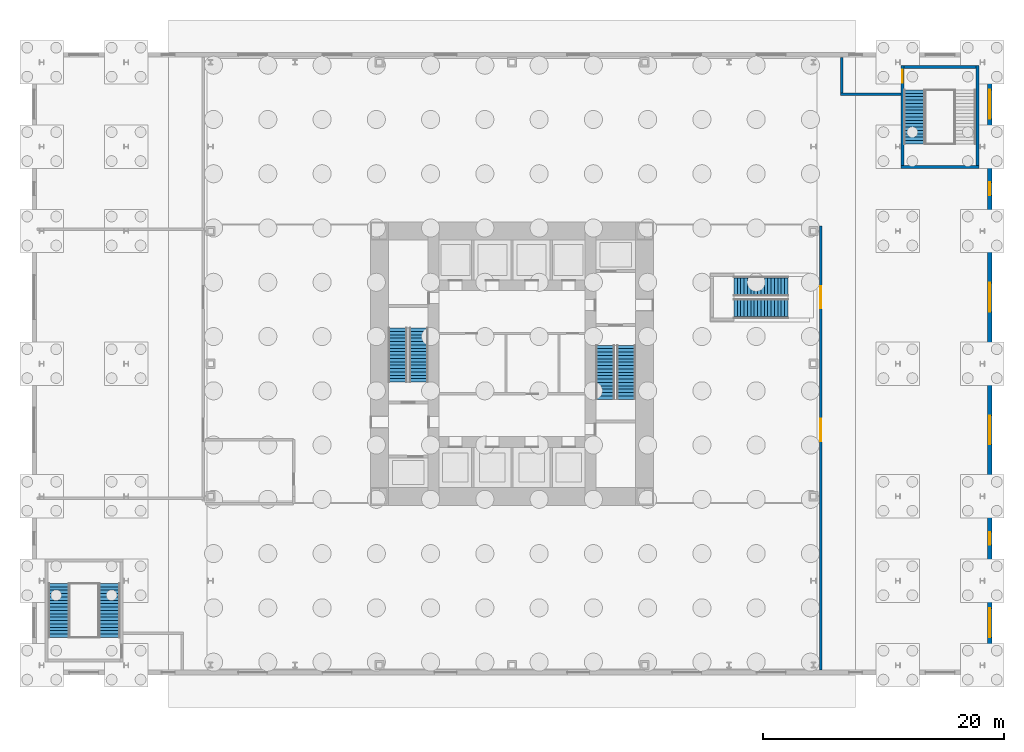
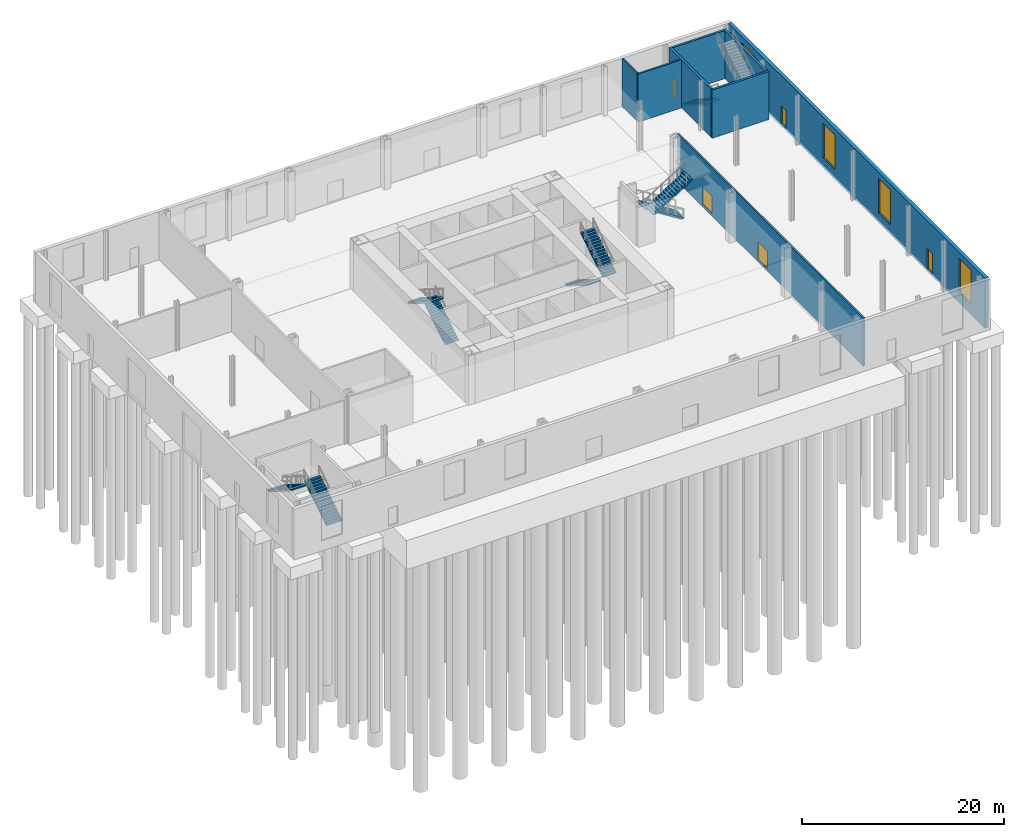
# One storey, part 12 of 16: 9 stair flights, 8 walls, 5 doors, 4 windows, 9 openings, 5 elements without a shape of their own.
"""IFC4 building model written with IfcOpenShell, lengths in metres."""

from ifc_helpers import new_model, si_unit, direction, frame, frame_2d, origin, place, context, subcontext, project, spatial, polyline, rectangle, outline, extrude, material, layer, layer_set, type_object, element, fill, aggregate, save


model = new_model("IFC4")

# Units and contexts
model_context = context("Model", 3, precision=1e-05, world=origin(), true_north=direction((0.0, 1.0)))
body_context = subcontext(model_context, "Body", "Model", "MODEL_VIEW")
ifc_project = project(units=[si_unit("LENGTHUNIT", "METRE"), si_unit("AREAUNIT", "SQUARE_METRE"), si_unit("VOLUMEUNIT", "CUBIC_METRE"), si_unit("PLANEANGLEUNIT", "RADIAN"), si_unit("MASSUNIT", "GRAM", prefix="KILO")], contexts=[model_context])

# Site, building, storey
site_placement = place(None, origin())
site = spatial("IfcSite", under=ifc_project, at=site_placement, CompositionType="ELEMENT")
building_placement = place(site_placement, origin())
building = spatial("IfcBuilding", under=site, at=building_placement, Name="Trevanion Tower", CompositionType="ELEMENT")
storey_placement = place(building_placement, origin())
storey = spatial("IfcBuildingStorey", under=building, at=storey_placement, Name="L00", CompositionType="ELEMENT", Elevation=0.0)

# Wall, openings, doors, windows
ifc_material_1 = material(Name="Granite cladding on concrete masonry", Category="masonry")
ifc_layer_1 = layer(ifc_material_1, 0.39990234375)
ifc_layer_set_1 = layer_set([ifc_layer_1], Name="EW1 granite-faced wall 400")
wall_type_1 = type_object("IfcWallType", Name="EW1 granite-faced wall 400", PredefinedType="SOLIDWALL", material=ifc_layer_set_1)
wall_1_placement = place(storey_placement, frame((39.6201171875, -25.419921875, -0.300048828125), z_axis=(0.0, 0.0, 1.0), x_axis=(0.0, 1.0, 0.0)))
wall_1 = element("IfcWall", 1, at=wall_1_placement, inside=storey, type_object=wall_type_1, Name="EW1 E L00", PredefinedType="SOLIDWALL", context=body_context, shape_type="SweptSolid", body=[
    extrude(rectangle(XDim=50.83984375, YDim=0.39990234375, at=frame_2d((25.419921875, 0.0))), origin(), (0.0, 0.0, 1.0), 6.110107421875),
])
opening_1_placement = place(wall_1_placement, frame((2.719970703125, 0.0, 1.199951171875)))
opening_1 = element("IfcOpeningElement", 2, at=opening_1_placement, cuts=wall_1, Name="Opening WN1", PredefinedType="OPENING", context=body_context, shape_type="SweptSolid", body=[
    extrude(rectangle(XDim=2.39990234375, YDim=4.199951171875, at=frame_2d((1.199951171875, 2.10009765625))), frame((0.0, 0.2099609375, 0.0), z_axis=(0.0, -1.0, 0.0), x_axis=(1.0, 0.0, 0.0)), (0.0, 0.0, 1.0), 0.419921875),
])
opening_2_placement = place(wall_1_placement, frame((10.385009765625, 0.0, 0.300048828125)))
opening_2 = element("IfcOpeningElement", 3, at=opening_2_placement, cuts=wall_1, Name="Opening 00E04", PredefinedType="OPENING", context=body_context, shape_type="SweptSolid", body=[
    extrude(rectangle(XDim=1.070068359375, YDim=2.43994140625, at=frame_2d((0.53515625, 1.219970703125))), frame((0.0, 0.2099609375, 0.0), z_axis=(0.0, -1.0, 0.0), x_axis=(1.0, 0.0, 0.0)), (0.0, 0.0, 1.0), 0.419921875),
])
opening_3_placement = place(wall_1_placement, frame((18.719970703125, 0.0, 1.199951171875)))
opening_3 = element("IfcOpeningElement", 4, at=opening_3_placement, cuts=wall_1, Name="Opening WN1", PredefinedType="OPENING", context=body_context, shape_type="SweptSolid", body=[
    extrude(rectangle(XDim=2.39990234375, YDim=4.199951171875, at=frame_2d((1.199951171875, 2.10009765625))), frame((0.0, 0.2099609375, 0.0), z_axis=(0.0, -1.0, 0.0), x_axis=(1.0, 0.0, 0.0)), (0.0, 0.0, 1.0), 0.419921875),
])
opening_4_placement = place(wall_1_placement, frame((29.719970703125, 0.0, 1.199951171875)))
opening_4 = element("IfcOpeningElement", 5, at=opening_4_placement, cuts=wall_1, Name="Opening WN1", PredefinedType="OPENING", context=body_context, shape_type="SweptSolid", body=[
    extrude(rectangle(XDim=2.39990234375, YDim=4.199951171875, at=frame_2d((1.199951171875, 2.10009765625))), frame((0.0, 0.2099609375, 0.0), z_axis=(0.0, -1.0, 0.0), x_axis=(1.0, 0.0, 0.0)), (0.0, 0.0, 1.0), 0.419921875),
])
opening_5_placement = place(wall_1_placement, frame((39.385009765625, 0.0, 0.300048828125)))
opening_5 = element("IfcOpeningElement", 6, at=opening_5_placement, cuts=wall_1, Name="Opening 00E05", PredefinedType="OPENING", context=body_context, shape_type="SweptSolid", body=[
    extrude(rectangle(XDim=1.070068359375, YDim=2.1298828125, at=frame_2d((0.53515625, 1.06494140625))), frame((0.0, 0.2099609375, 0.0), z_axis=(0.0, -1.0, 0.0), x_axis=(1.0, 0.0, 0.0)), (0.0, 0.0, 1.0), 0.419921875),
])
opening_6_placement = place(wall_1_placement, frame((45.719970703125, 0.0, 1.199951171875)))
opening_6 = element("IfcOpeningElement", 7, at=opening_6_placement, cuts=wall_1, Name="Opening WN1", PredefinedType="OPENING", context=body_context, shape_type="SweptSolid", body=[
    extrude(rectangle(XDim=2.39990234375, YDim=4.199951171875, at=frame_2d((1.199951171875, 2.10009765625))), frame((0.0, 0.2099609375, 0.0), z_axis=(0.0, -1.0, 0.0), x_axis=(1.0, 0.0, 0.0)), (0.0, 0.0, 1.0), 0.419921875),
])
ifc_material_2 = material(Name="Bronze-finish aluminium and glass", Category="aluminium")
door_type_1 = type_object("IfcDoorType", Name="ED2 bronze and glass shop door", OperationType="SINGLE_SWING_LEFT", PredefinedType="DOOR", material=ifc_material_2)
door_1_placement = place(opening_2_placement, frame((1.070068359375, 0.0, 0.0), z_axis=(0.0, 0.0, 1.0), x_axis=(-1.0, 0.0, 0.0)))
door_1 = element("IfcDoor", 8, at=door_1_placement, inside=storey, type_object=door_type_1, Name="Door 00E04", OperationType="SINGLE_SWING_LEFT", OverallHeight=2.43994140625, OverallWidth=1.070068359375, PredefinedType="DOOR", context=body_context, shape_type="SweptSolid", body=[
    extrude(rectangle(XDim=1.070068359375, YDim=2.43994140625, at=frame_2d((0.53515625, 1.219970703125))), frame((0.0, 0.02490234375, 0.0), z_axis=(0.0, -1.0, 0.0), x_axis=(1.0, 0.0, 0.0)), (0.0, 0.0, 1.0), 0.050048828125),
])
fill(opening_2, door_1)
ifc_material_3 = material(Name="Steel", Category="steel")
door_type_2 = type_object("IfcDoorType", Name="ED3 steel exit door", OperationType="SINGLE_SWING_LEFT", PredefinedType="DOOR", material=ifc_material_3)
door_2_placement = place(opening_5_placement, frame((1.070068359375, 0.0, 0.0), z_axis=(0.0, 0.0, 1.0), x_axis=(-1.0, 0.0, 0.0)))
door_2 = element("IfcDoor", 9, at=door_2_placement, inside=storey, type_object=door_type_2, Name="Door 00E05", OperationType="SINGLE_SWING_LEFT", OverallHeight=2.1298828125, OverallWidth=1.070068359375, PredefinedType="DOOR", context=body_context, shape_type="SweptSolid", body=[
    extrude(rectangle(XDim=1.070068359375, YDim=2.1298828125, at=frame_2d((0.53515625, 1.06494140625))), frame((0.0, 0.02490234375, 0.0), z_axis=(0.0, -1.0, 0.0), x_axis=(1.0, 0.0, 0.0)), (0.0, 0.0, 1.0), 0.050048828125),
])
fill(opening_5, door_2)
ifc_material_4 = material(Name="Bronze-finish aluminium frame, insulating glass", Category="aluminium")
window_type = type_object("IfcWindowType", Name="WN1 window 2400x4200", PartitioningType="SINGLE_PANEL", PredefinedType="WINDOW", material=ifc_material_4)
window_1_placement = place(opening_1_placement, origin())
window_1 = element("IfcWindow", 10, at=window_1_placement, inside=storey, type_object=window_type, Name="WN1 E L00", OverallHeight=4.199951171875, OverallWidth=2.39990234375, PartitioningType="SINGLE_PANEL", PredefinedType="WINDOW", context=body_context, shape_type="SweptSolid", body=[
    extrude(rectangle(XDim=2.39990234375, YDim=4.199951171875, at=frame_2d((1.199951171875, 2.10009765625))), frame((0.0, 0.030029296875, 0.0), z_axis=(0.0, -1.0, 0.0), x_axis=(1.0, 0.0, 0.0)), (0.0, 0.0, 1.0), 0.06005859375),
])
fill(opening_1, window_1)
window_2_placement = place(opening_3_placement, origin())
window_2 = element("IfcWindow", 11, at=window_2_placement, inside=storey, type_object=window_type, Name="WN1 E L00", OverallHeight=4.199951171875, OverallWidth=2.39990234375, PartitioningType="SINGLE_PANEL", PredefinedType="WINDOW", context=body_context, shape_type="SweptSolid", body=[
    extrude(rectangle(XDim=2.39990234375, YDim=4.199951171875, at=frame_2d((1.199951171875, 2.10009765625))), frame((0.0, 0.030029296875, 0.0), z_axis=(0.0, -1.0, 0.0), x_axis=(1.0, 0.0, 0.0)), (0.0, 0.0, 1.0), 0.06005859375),
])
fill(opening_3, window_2)
window_3_placement = place(opening_4_placement, origin())
window_3 = element("IfcWindow", 12, at=window_3_placement, inside=storey, type_object=window_type, Name="WN1 E L00", OverallHeight=4.199951171875, OverallWidth=2.39990234375, PartitioningType="SINGLE_PANEL", PredefinedType="WINDOW", context=body_context, shape_type="SweptSolid", body=[
    extrude(rectangle(XDim=2.39990234375, YDim=4.199951171875, at=frame_2d((1.199951171875, 2.10009765625))), frame((0.0, 0.030029296875, 0.0), z_axis=(0.0, -1.0, 0.0), x_axis=(1.0, 0.0, 0.0)), (0.0, 0.0, 1.0), 0.06005859375),
])
fill(opening_4, window_3)
window_4_placement = place(opening_6_placement, origin())
window_4 = element("IfcWindow", 13, at=window_4_placement, inside=storey, type_object=window_type, Name="WN1 E L00", OverallHeight=4.199951171875, OverallWidth=2.39990234375, PartitioningType="SINGLE_PANEL", PredefinedType="WINDOW", context=body_context, shape_type="SweptSolid", body=[
    extrude(rectangle(XDim=2.39990234375, YDim=4.199951171875, at=frame_2d((1.199951171875, 2.10009765625))), frame((0.0, 0.030029296875, 0.0), z_axis=(0.0, -1.0, 0.0), x_axis=(1.0, 0.0, 0.0)), (0.0, 0.0, 1.0), 0.06005859375),
])
fill(opening_6, window_4)

# Wall, openings, doors
ifc_material_5 = material(Name="Concrete masonry, grouted", Category="masonry")
ifc_layer_2 = layer(ifc_material_5, 0.199951171875)
ifc_layer_set_2 = layer_set([ifc_layer_2], Name="PT2 partition 200 1 HR")
wall_type_2 = type_object("IfcWallType", Name="PT2 partition 200 1 HR", PredefinedType="PARTITIONING", material=ifc_layer_set_2)
wall_2_placement = place(storey_placement, frame((25.60009765625, -25.409912109375, 0.0), z_axis=(0.0, 0.0, 1.0), x_axis=(0.0, 1.0, 0.0)))
wall_2 = element("IfcWall", 14, at=wall_2_placement, inside=storey, type_object=wall_type_2, Name="PT2 L00 WE1", PredefinedType="PARTITIONING", context=body_context, shape_type="SweptSolid", body=[
    extrude(rectangle(XDim=36.809814453125, YDim=0.199951171875, at=frame_2d((18.40478515625, 0.0))), origin(), (0.0, 0.0, 1.0), 5.81005859375),
])
opening_7_placement = place(wall_2_placement, frame((29.9951171875, 0.0, 0.300048828125)))
opening_7 = element("IfcOpeningElement", 15, at=opening_7_placement, cuts=wall_2, Name="Opening 00-024", PredefinedType="OPENING", context=body_context, shape_type="SweptSolid", body=[
    extrude(rectangle(XDim=1.830078125, YDim=2.134033203125, at=frame_2d((0.9150390625, 1.06689453125))), frame((0.0, 0.10986328125, 0.0), z_axis=(0.0, -1.0, 0.0), x_axis=(1.0, 0.0, 0.0)), (0.0, 0.0, 1.0), 0.219970703125),
])
opening_8_placement = place(wall_2_placement, frame((18.9951171875, 0.0, 0.300048828125)))
opening_8 = element("IfcOpeningElement", 16, at=opening_8_placement, cuts=wall_2, Name="Opening 00-025", PredefinedType="OPENING", context=body_context, shape_type="SweptSolid", body=[
    extrude(rectangle(XDim=1.830078125, YDim=2.134033203125, at=frame_2d((0.9150390625, 1.06689453125))), frame((0.0, 0.10986328125, 0.0), z_axis=(0.0, -1.0, 0.0), x_axis=(1.0, 0.0, 0.0)), (0.0, 0.0, 1.0), 0.219970703125),
])
ifc_material_6 = material(Name="Timber veneer, fire rated", Category="wood")
door_type_3 = type_object("IfcDoorType", Name="D8 wing double door", OperationType="DOUBLE_DOOR_DOUBLE_SWING", PredefinedType="DOOR", material=ifc_material_6)
door_3_placement = place(opening_7_placement, origin())
door_3 = element("IfcDoor", 17, at=door_3_placement, inside=storey, type_object=door_type_3, Name="Door 00-024", OperationType="DOUBLE_DOOR_DOUBLE_SWING", OverallHeight=2.134033203125, OverallWidth=1.830078125, PredefinedType="DOOR", context=body_context, shape_type="SweptSolid", body=[
    extrude(rectangle(XDim=1.830078125, YDim=2.134033203125, at=frame_2d((0.9150390625, 1.06689453125))), frame((0.0, 0.02490234375, 0.0), z_axis=(0.0, -1.0, 0.0), x_axis=(1.0, 0.0, 0.0)), (0.0, 0.0, 1.0), 0.050048828125),
])
fill(opening_7, door_3)
door_4_placement = place(opening_8_placement, origin())
door_4 = element("IfcDoor", 18, at=door_4_placement, inside=storey, type_object=door_type_3, Name="Door 00-025", OperationType="DOUBLE_DOOR_DOUBLE_SWING", OverallHeight=2.134033203125, OverallWidth=1.830078125, PredefinedType="DOOR", context=body_context, shape_type="SweptSolid", body=[
    extrude(rectangle(XDim=1.830078125, YDim=2.134033203125, at=frame_2d((0.9150390625, 1.06689453125))), frame((0.0, 0.02490234375, 0.0), z_axis=(0.0, -1.0, 0.0), x_axis=(1.0, 0.0, 0.0)), (0.0, 0.0, 1.0), 0.050048828125),
])
fill(opening_8, door_4)

# Walls
ifc_material_7 = material(Name="Concrete masonry, grouted", Category="masonry")
ifc_layer_3 = layer(ifc_material_7, 0.199951171875)
ifc_layer_set_3 = layer_set([ifc_layer_3], Name="PT2 partition 200 2 HR")
wall_type_3 = type_object("IfcWallType", Name="PT2 partition 200 2 HR", PredefinedType="PARTITIONING", material=ifc_layer_set_3)
wall_3_placement = place(storey_placement, frame((27.35009765625, 22.449951171875, 0.0), z_axis=(0.0, 0.0, 1.0), x_axis=(0.0, 1.0, 0.0)))
element("IfcWall", 19, at=wall_3_placement, inside=storey, type_object=wall_type_3, Name="PT2 L00 S3V1", PredefinedType="PARTITIONING", context=body_context, shape_type="SweptSolid", body=[
    extrude(rectangle(XDim=2.9599609375, YDim=0.199951171875, at=frame_2d((1.47998046875, 0.0))), origin(), (0.0, 0.0, 1.0), 5.81005859375),
])
wall_4_placement = place(storey_placement, frame((27.25, 22.35009765625, 0.0), z_axis=(0.0, 0.0, 1.0), x_axis=(1.0, 0.0, 0.0)))
element("IfcWall", 20, at=wall_4_placement, inside=storey, type_object=wall_type_3, Name="PT2 L00 S3V2", PredefinedType="PARTITIONING", context=body_context, shape_type="SweptSolid", body=[
    extrude(rectangle(XDim=5.0, YDim=0.199951171875, at=frame_2d((2.5, 0.0))), origin(), (0.0, 0.0, 1.0), 5.81005859375),
])

# Wall, opening, door
ifc_material_8 = material(Name="Reinforced masonry, fully grouted", Category="masonry")
ifc_layer_4 = layer(ifc_material_8, 0.25)
ifc_layer_set_4 = layer_set([ifc_layer_4], Name="SW1 stair shaft wall 250")
wall_type_4 = type_object("IfcWallType", Name="SW1 stair shaft wall 250", PredefinedType="SOLIDWALL", material=ifc_layer_set_4)
wall_5_placement = place(storey_placement, frame((32.375, 16.31494140625, 0.0), z_axis=(0.0, 0.0, 1.0), x_axis=(0.0, 1.0, 0.0)))
wall_5 = element("IfcWall", 21, at=wall_5_placement, inside=storey, type_object=wall_type_4, Name="SW1 L00 S3A", PredefinedType="SOLIDWALL", context=body_context, shape_type="SweptSolid", body=[
    extrude(rectangle(XDim=8.425048828125, YDim=0.25, at=frame_2d((4.21240234375, 0.0))), origin(), (0.0, 0.0, 1.0), 5.81005859375),
])
opening_9_placement = place(wall_5_placement, frame((7.00146484375, 0.0, 0.300048828125)))
opening_9 = element("IfcOpeningElement", 22, at=opening_9_placement, cuts=wall_5, Name="Opening 00-022", PredefinedType="OPENING", context=body_context, shape_type="SweptSolid", body=[
    extrude(rectangle(XDim=1.06689453125, YDim=2.134033203125, at=frame_2d((0.533447265625, 1.06689453125))), frame((0.0, 0.135009765625, 0.0), z_axis=(0.0, -1.0, 0.0), x_axis=(1.0, 0.0, 0.0)), (0.0, 0.0, 1.0), 0.27001953125),
])
ifc_material_9 = material(Name="Hollow metal, fire rated", Category="steel")
door_type_4 = type_object("IfcDoorType", Name="D2 exit stair door", OperationType="SINGLE_SWING_LEFT", PredefinedType="DOOR", material=ifc_material_9)
door_5_placement = place(opening_9_placement, origin())
door_5 = element("IfcDoor", 23, at=door_5_placement, inside=storey, type_object=door_type_4, Name="Door 00-022", OperationType="SINGLE_SWING_LEFT", OverallHeight=2.134033203125, OverallWidth=1.06689453125, PredefinedType="DOOR", context=body_context, shape_type="SweptSolid", body=[
    extrude(rectangle(XDim=1.06689453125, YDim=2.134033203125, at=frame_2d((0.533447265625, 1.06689453125))), frame((0.0, 0.02490234375, 0.0), z_axis=(0.0, -1.0, 0.0), x_axis=(1.0, 0.0, 0.0)), (0.0, 0.0, 1.0), 0.050048828125),
])
fill(opening_9, door_5)

# Walls
wall_6_placement = place(storey_placement, frame((32.25, 16.31494140625, 0.0), z_axis=(0.0, 0.0, 1.0), x_axis=(1.0, 0.0, 0.0)))
element("IfcWall", 24, at=wall_6_placement, inside=storey, type_object=wall_type_4, Name="SW1 L00 S3B", PredefinedType="SOLIDWALL", context=body_context, shape_type="SweptSolid", body=[
    extrude(rectangle(XDim=6.47509765625, YDim=0.25, at=frame_2d((3.237548828125, 0.0))), origin(), (0.0, 0.0, 1.0), 5.81005859375),
])
wall_7_placement = place(storey_placement, frame((38.60009765625, 16.43994140625, 0.0), z_axis=(0.0, 0.0, 1.0), x_axis=(0.0, 1.0, 0.0)))
element("IfcWall", 25, at=wall_7_placement, inside=storey, type_object=wall_type_4, Name="SW1 L00 S3C", PredefinedType="SOLIDWALL", context=body_context, shape_type="SweptSolid", body=[
    extrude(rectangle(XDim=8.300048828125, YDim=0.25, at=frame_2d((4.14990234375, 0.0))), origin(), (0.0, 0.0, 1.0), 5.81005859375),
])
wall_8_placement = place(storey_placement, frame((32.5, 24.614990234375, 0.0), z_axis=(0.0, 0.0, 1.0), x_axis=(1.0, 0.0, 0.0)))
element("IfcWall", 26, at=wall_8_placement, inside=storey, type_object=wall_type_4, Name="SW1 L00 S3D", PredefinedType="SOLIDWALL", context=body_context, shape_type="SweptSolid", body=[
    extrude(rectangle(XDim=5.97509765625, YDim=0.25, at=frame_2d((2.987548828125, 0.0))), origin(), (0.0, 0.0, 1.0), 5.81005859375),
])

# Stair, stair flights
ifc_material_10 = material(Name="Concrete 5,000 psi", Category="concrete")
stair_type_1 = type_object("IfcStairType", Name="GS grand stair", PredefinedType="HALF_TURN_STAIR", material=ifc_material_10)
stair_1_placement = place(storey_placement, origin())
stair_1 = element("IfcStair", 27, at=stair_1_placement, inside=storey, type_object=stair_type_1, Name="GS1 L00", PredefinedType="HALF_TURN_STAIR")
ifc_material_11 = material(Name="Concrete 5,000 psi", Category="concrete")
stair_flight_type_1 = type_object("IfcStairFlightType", Name="GSF grand stair flight", PredefinedType="STRAIGHT", material=ifc_material_11)
stair_flight_1_placement = place(storey_placement, frame((22.8798828125, 6.35009765625, 0.0), z_axis=(0.0, 0.0, 1.0), x_axis=(-1.0, 0.0, 0.0)))
stair_flight_1 = element("IfcStairFlight", 28, at=stair_flight_1_placement, type_object=stair_flight_type_1, Name="GS1 flight 1", NumberOfRisers=17, NumberOfTreads=16, PredefinedType="STRAIGHT", RiserHeight=0.176470588, TreadLength=0.28, context=body_context, shape_type="SweptSolid", body=[
    extrude(outline(polyline([(0.0, 0.0), (0.0, 0.176513671875), (0.280029296875, 0.176513671875), (0.280029296875, 0.35302734375), (0.56005859375, 0.35302734375), (0.56005859375, 0.529296875), (0.840087890625, 0.529296875), (0.840087890625, 0.705810546875), (1.1201171875, 0.705810546875), (1.1201171875, 0.88232421875), (1.39990234375, 0.88232421875), (1.39990234375, 1.058837890625), (1.679931640625, 1.058837890625), (1.679931640625, 1.2353515625), (1.9599609375, 1.2353515625), (1.9599609375, 1.411865234375), (2.239990234375, 1.411865234375), (2.239990234375, 1.588134765625), (2.52001953125, 1.588134765625), (2.52001953125, 1.7646484375), (2.800048828125, 1.7646484375), (2.800048828125, 1.941162109375), (3.080078125, 1.941162109375), (3.080078125, 2.11767578125), (3.360107421875, 2.11767578125), (3.360107421875, 2.294189453125), (3.639892578125, 2.294189453125), (3.639892578125, 2.470703125), (3.919921875, 2.470703125), (3.919921875, 2.64697265625), (4.199951171875, 2.64697265625), (4.199951171875, 2.823486328125), (4.47998046875, 2.823486328125), (4.47998046875, 3.0), (4.47998046875, 2.646240234375), (0.28125, 0.0), (0.0, 0.0)])), frame((0.0, 0.75, 0.0), z_axis=(0.0, -1.0, 0.0), x_axis=(1.0, 0.0, 0.0)), (0.0, 0.0, 1.0), 1.5),
])
stair_flight_2_placement = place(storey_placement, frame((18.39990234375, 4.64990234375, 3.0), z_axis=(0.0, 0.0, 1.0), x_axis=(1.0, 0.0, 0.0)))
stair_flight_2 = element("IfcStairFlight", 29, at=stair_flight_2_placement, type_object=stair_flight_type_1, Name="GS1 flight 2", NumberOfRisers=17, NumberOfTreads=16, PredefinedType="STRAIGHT", RiserHeight=0.176470588, TreadLength=0.28, context=body_context, shape_type="SweptSolid", body=[
    extrude(outline(polyline([(0.0, 0.0), (0.0, 0.176513671875), (0.280029296875, 0.176513671875), (0.280029296875, 0.35302734375), (0.56005859375, 0.35302734375), (0.56005859375, 0.529296875), (0.840087890625, 0.529296875), (0.840087890625, 0.705810546875), (1.1201171875, 0.705810546875), (1.1201171875, 0.88232421875), (1.39990234375, 0.88232421875), (1.39990234375, 1.058837890625), (1.679931640625, 1.058837890625), (1.679931640625, 1.2353515625), (1.9599609375, 1.2353515625), (1.9599609375, 1.411865234375), (2.239990234375, 1.411865234375), (2.239990234375, 1.588134765625), (2.52001953125, 1.588134765625), (2.52001953125, 1.7646484375), (2.800048828125, 1.7646484375), (2.800048828125, 1.941162109375), (3.080078125, 1.941162109375), (3.080078125, 2.11767578125), (3.360107421875, 2.11767578125), (3.360107421875, 2.294189453125), (3.639892578125, 2.294189453125), (3.639892578125, 2.470703125), (3.919921875, 2.470703125), (3.919921875, 2.64697265625), (4.199951171875, 2.64697265625), (4.199951171875, 2.823486328125), (4.47998046875, 2.823486328125), (4.47998046875, 3.0), (4.47998046875, 2.646240234375), (0.28125, 0.0), (0.0, 0.0)])), frame((0.0, 0.75, 0.0), z_axis=(0.0, -1.0, 0.0), x_axis=(1.0, 0.0, 0.0)), (0.0, 0.0, 1.0), 1.5),
])
aggregate(stair_1, [stair_flight_1, stair_flight_2])

ifc_material_12 = material(Name="Concrete 5,000 psi on steel stringers", Category="concrete")
stair_type_2 = type_object("IfcStairType", Name="ST stair", PredefinedType="HALF_TURN_STAIR", material=ifc_material_12)
stair_2_placement = place(storey_placement, origin())
stair_2 = element("IfcStair", 30, at=stair_2_placement, inside=storey, type_object=stair_type_2, Name="ST1 L00", PredefinedType="HALF_TURN_STAIR")
ifc_material_13 = material(Name="Concrete 5,000 psi in steel pan", Category="concrete")
stair_flight_type_2 = type_object("IfcStairFlightType", Name="STF stair flight", PredefinedType="STRAIGHT", material=ifc_material_13)
stair_flight_3_placement = place(storey_placement, frame((7.72509765625, 1.52490234375, 0.0), z_axis=(0.0, 0.0, 1.0), x_axis=(0.0, -1.0, 0.0)))
stair_flight_3 = element("IfcStairFlight", 31, at=stair_flight_3_placement, type_object=stair_flight_type_2, Name="ST1 flight 1", NumberOfRisers=17, NumberOfTreads=16, PredefinedType="STRAIGHT", RiserHeight=0.176470588, TreadLength=0.28, context=body_context, shape_type="SweptSolid", body=[
    extrude(outline(polyline([(0.0, 0.0), (0.0, 0.176513671875), (0.280029296875, 0.176513671875), (0.280029296875, 0.35302734375), (0.56005859375, 0.35302734375), (0.56005859375, 0.529296875), (0.840087890625, 0.529296875), (0.840087890625, 0.705810546875), (1.1201171875, 0.705810546875), (1.1201171875, 0.88232421875), (1.39990234375, 0.88232421875), (1.39990234375, 1.058837890625), (1.679931640625, 1.058837890625), (1.679931640625, 1.2353515625), (1.9599609375, 1.2353515625), (1.9599609375, 1.411865234375), (2.239990234375, 1.411865234375), (2.239990234375, 1.588134765625), (2.52001953125, 1.588134765625), (2.52001953125, 1.7646484375), (2.800048828125, 1.7646484375), (2.800048828125, 1.941162109375), (3.080078125, 1.941162109375), (3.080078125, 2.11767578125), (3.360107421875, 2.11767578125), (3.360107421875, 2.294189453125), (3.639892578125, 2.294189453125), (3.639892578125, 2.470703125), (3.919921875, 2.470703125), (3.919921875, 2.64697265625), (4.199951171875, 2.64697265625), (4.199951171875, 2.823486328125), (4.47998046875, 2.823486328125), (4.47998046875, 3.0), (4.47998046875, 2.646240234375), (0.28125, 0.0), (0.0, 0.0)])), frame((0.0, 0.77490234375, 0.0), z_axis=(0.0, -1.0, 0.0), x_axis=(1.0, 0.0, 0.0)), (0.0, 0.0, 1.0), 1.550048828125),
])
stair_flight_4_placement = place(storey_placement, frame((9.47509765625, -2.955078125, 3.0), z_axis=(0.0, 0.0, 1.0), x_axis=(0.0, 1.0, 0.0)))
stair_flight_4 = element("IfcStairFlight", 32, at=stair_flight_4_placement, type_object=stair_flight_type_2, Name="ST1 flight 2", NumberOfRisers=17, NumberOfTreads=16, PredefinedType="STRAIGHT", RiserHeight=0.176470588, TreadLength=0.28, context=body_context, shape_type="SweptSolid", body=[
    extrude(outline(polyline([(0.0, 0.0), (0.0, 0.176513671875), (0.280029296875, 0.176513671875), (0.280029296875, 0.35302734375), (0.56005859375, 0.35302734375), (0.56005859375, 0.529296875), (0.840087890625, 0.529296875), (0.840087890625, 0.705810546875), (1.1201171875, 0.705810546875), (1.1201171875, 0.88232421875), (1.39990234375, 0.88232421875), (1.39990234375, 1.058837890625), (1.679931640625, 1.058837890625), (1.679931640625, 1.2353515625), (1.9599609375, 1.2353515625), (1.9599609375, 1.411865234375), (2.239990234375, 1.411865234375), (2.239990234375, 1.588134765625), (2.52001953125, 1.588134765625), (2.52001953125, 1.7646484375), (2.800048828125, 1.7646484375), (2.800048828125, 1.941162109375), (3.080078125, 1.941162109375), (3.080078125, 2.11767578125), (3.360107421875, 2.11767578125), (3.360107421875, 2.294189453125), (3.639892578125, 2.294189453125), (3.639892578125, 2.470703125), (3.919921875, 2.470703125), (3.919921875, 2.64697265625), (4.199951171875, 2.64697265625), (4.199951171875, 2.823486328125), (4.47998046875, 2.823486328125), (4.47998046875, 3.0), (4.47998046875, 2.646240234375), (0.28125, 0.0), (0.0, 0.0)])), frame((0.0, 0.77490234375, 0.0), z_axis=(0.0, -1.0, 0.0), x_axis=(1.0, 0.0, 0.0)), (0.0, 0.0, 1.0), 1.550048828125),
])
aggregate(stair_2, [stair_flight_3, stair_flight_4])

stair_3_placement = place(storey_placement, origin())
stair_3 = element("IfcStair", 33, at=stair_3_placement, inside=storey, type_object=stair_type_2, Name="ST2 L00", PredefinedType="HALF_TURN_STAIR")
stair_flight_5_placement = place(storey_placement, frame((-7.72509765625, -1.52490234375, 0.0), z_axis=(0.0, 0.0, 1.0), x_axis=(0.0, 1.0, 0.0)))
stair_flight_5 = element("IfcStairFlight", 34, at=stair_flight_5_placement, type_object=stair_flight_type_2, Name="ST2 flight 1", NumberOfRisers=17, NumberOfTreads=16, PredefinedType="STRAIGHT", RiserHeight=0.176470588, TreadLength=0.28, context=body_context, shape_type="SweptSolid", body=[
    extrude(outline(polyline([(0.0, 0.0), (0.0, 0.176513671875), (0.280029296875, 0.176513671875), (0.280029296875, 0.35302734375), (0.56005859375, 0.35302734375), (0.56005859375, 0.529296875), (0.840087890625, 0.529296875), (0.840087890625, 0.705810546875), (1.1201171875, 0.705810546875), (1.1201171875, 0.88232421875), (1.39990234375, 0.88232421875), (1.39990234375, 1.058837890625), (1.679931640625, 1.058837890625), (1.679931640625, 1.2353515625), (1.9599609375, 1.2353515625), (1.9599609375, 1.411865234375), (2.239990234375, 1.411865234375), (2.239990234375, 1.588134765625), (2.52001953125, 1.588134765625), (2.52001953125, 1.7646484375), (2.800048828125, 1.7646484375), (2.800048828125, 1.941162109375), (3.080078125, 1.941162109375), (3.080078125, 2.11767578125), (3.360107421875, 2.11767578125), (3.360107421875, 2.294189453125), (3.639892578125, 2.294189453125), (3.639892578125, 2.470703125), (3.919921875, 2.470703125), (3.919921875, 2.64697265625), (4.199951171875, 2.64697265625), (4.199951171875, 2.823486328125), (4.47998046875, 2.823486328125), (4.47998046875, 3.0), (4.47998046875, 2.646240234375), (0.28125, 0.0), (0.0, 0.0)])), frame((0.0, 0.77490234375, 0.0), z_axis=(0.0, -1.0, 0.0), x_axis=(1.0, 0.0, 0.0)), (0.0, 0.0, 1.0), 1.550048828125),
])
stair_flight_6_placement = place(storey_placement, frame((-9.47509765625, 2.955078125, 3.0), z_axis=(0.0, 0.0, 1.0), x_axis=(0.0, -1.0, 0.0)))
stair_flight_6 = element("IfcStairFlight", 35, at=stair_flight_6_placement, type_object=stair_flight_type_2, Name="ST2 flight 2", NumberOfRisers=17, NumberOfTreads=16, PredefinedType="STRAIGHT", RiserHeight=0.176470588, TreadLength=0.28, context=body_context, shape_type="SweptSolid", body=[
    extrude(outline(polyline([(0.0, 0.0), (0.0, 0.176513671875), (0.280029296875, 0.176513671875), (0.280029296875, 0.35302734375), (0.56005859375, 0.35302734375), (0.56005859375, 0.529296875), (0.840087890625, 0.529296875), (0.840087890625, 0.705810546875), (1.1201171875, 0.705810546875), (1.1201171875, 0.88232421875), (1.39990234375, 0.88232421875), (1.39990234375, 1.058837890625), (1.679931640625, 1.058837890625), (1.679931640625, 1.2353515625), (1.9599609375, 1.2353515625), (1.9599609375, 1.411865234375), (2.239990234375, 1.411865234375), (2.239990234375, 1.588134765625), (2.52001953125, 1.588134765625), (2.52001953125, 1.7646484375), (2.800048828125, 1.7646484375), (2.800048828125, 1.941162109375), (3.080078125, 1.941162109375), (3.080078125, 2.11767578125), (3.360107421875, 2.11767578125), (3.360107421875, 2.294189453125), (3.639892578125, 2.294189453125), (3.639892578125, 2.470703125), (3.919921875, 2.470703125), (3.919921875, 2.64697265625), (4.199951171875, 2.64697265625), (4.199951171875, 2.823486328125), (4.47998046875, 2.823486328125), (4.47998046875, 3.0), (4.47998046875, 2.646240234375), (0.28125, 0.0), (0.0, 0.0)])), frame((0.0, 0.77490234375, 0.0), z_axis=(0.0, -1.0, 0.0), x_axis=(1.0, 0.0, 0.0)), (0.0, 0.0, 1.0), 1.550048828125),
])
aggregate(stair_3, [stair_flight_5, stair_flight_6])

# Stair, stair flight
stair_4_placement = place(storey_placement, origin())
stair_4 = element("IfcStair", 36, at=stair_4_placement, inside=storey, type_object=stair_type_2, Name="ST3 L00", PredefinedType="HALF_TURN_STAIR")
stair_flight_7_placement = place(storey_placement, frame((33.392578125, 22.705078125, 0.0), z_axis=(0.0, 0.0, 1.0), x_axis=(0.0, -1.0, 0.0)))
stair_flight_7 = element("IfcStairFlight", 37, at=stair_flight_7_placement, type_object=stair_flight_type_2, Name="ST3 flight 1", NumberOfRisers=17, NumberOfTreads=16, PredefinedType="STRAIGHT", RiserHeight=0.176470588, TreadLength=0.28, context=body_context, shape_type="SweptSolid", body=[
    extrude(outline(polyline([(0.0, 0.0), (0.0, 0.176513671875), (0.280029296875, 0.176513671875), (0.280029296875, 0.35302734375), (0.56005859375, 0.35302734375), (0.56005859375, 0.529296875), (0.840087890625, 0.529296875), (0.840087890625, 0.705810546875), (1.1201171875, 0.705810546875), (1.1201171875, 0.88232421875), (1.39990234375, 0.88232421875), (1.39990234375, 1.058837890625), (1.679931640625, 1.058837890625), (1.679931640625, 1.2353515625), (1.9599609375, 1.2353515625), (1.9599609375, 1.411865234375), (2.239990234375, 1.411865234375), (2.239990234375, 1.588134765625), (2.52001953125, 1.588134765625), (2.52001953125, 1.7646484375), (2.800048828125, 1.7646484375), (2.800048828125, 1.941162109375), (3.080078125, 1.941162109375), (3.080078125, 2.11767578125), (3.360107421875, 2.11767578125), (3.360107421875, 2.294189453125), (3.639892578125, 2.294189453125), (3.639892578125, 2.470703125), (3.919921875, 2.470703125), (3.919921875, 2.64697265625), (4.199951171875, 2.64697265625), (4.199951171875, 2.823486328125), (4.47998046875, 2.823486328125), (4.47998046875, 3.0), (4.47998046875, 2.646240234375), (0.28125, 0.0), (0.0, 0.0)])), frame((0.0, 0.892578125, 0.0), z_axis=(0.0, -1.0, 0.0), x_axis=(1.0, 0.0, 0.0)), (0.0, 0.0, 1.0), 1.784912109375),
])
aggregate(stair_4, [stair_flight_7])

# Stair, stair flights
stair_5_placement = place(storey_placement, origin())
stair_5 = element("IfcStair", 38, at=stair_5_placement, inside=storey, type_object=stair_type_2, Name="ST4 L00", PredefinedType="HALF_TURN_STAIR")
stair_flight_8_placement = place(storey_placement, frame((-33.392578125, -22.705078125, 0.0), z_axis=(0.0, 0.0, 1.0), x_axis=(0.0, 1.0, 0.0)))
stair_flight_8 = element("IfcStairFlight", 39, at=stair_flight_8_placement, type_object=stair_flight_type_2, Name="ST4 flight 1", NumberOfRisers=17, NumberOfTreads=16, PredefinedType="STRAIGHT", RiserHeight=0.176470588, TreadLength=0.28, context=body_context, shape_type="SweptSolid", body=[
    extrude(outline(polyline([(0.0, 0.0), (0.0, 0.176513671875), (0.280029296875, 0.176513671875), (0.280029296875, 0.35302734375), (0.56005859375, 0.35302734375), (0.56005859375, 0.529296875), (0.840087890625, 0.529296875), (0.840087890625, 0.705810546875), (1.1201171875, 0.705810546875), (1.1201171875, 0.88232421875), (1.39990234375, 0.88232421875), (1.39990234375, 1.058837890625), (1.679931640625, 1.058837890625), (1.679931640625, 1.2353515625), (1.9599609375, 1.2353515625), (1.9599609375, 1.411865234375), (2.239990234375, 1.411865234375), (2.239990234375, 1.588134765625), (2.52001953125, 1.588134765625), (2.52001953125, 1.7646484375), (2.800048828125, 1.7646484375), (2.800048828125, 1.941162109375), (3.080078125, 1.941162109375), (3.080078125, 2.11767578125), (3.360107421875, 2.11767578125), (3.360107421875, 2.294189453125), (3.639892578125, 2.294189453125), (3.639892578125, 2.470703125), (3.919921875, 2.470703125), (3.919921875, 2.64697265625), (4.199951171875, 2.64697265625), (4.199951171875, 2.823486328125), (4.47998046875, 2.823486328125), (4.47998046875, 3.0), (4.47998046875, 2.646240234375), (0.28125, 0.0), (0.0, 0.0)])), frame((0.0, 0.892578125, 0.0), z_axis=(0.0, -1.0, 0.0), x_axis=(1.0, 0.0, 0.0)), (0.0, 0.0, 1.0), 1.784912109375),
])
stair_flight_9_placement = place(storey_placement, frame((-37.58251953125, -18.22509765625, 3.0), z_axis=(0.0, 0.0, 1.0), x_axis=(0.0, -1.0, 0.0)))
stair_flight_9 = element("IfcStairFlight", 40, at=stair_flight_9_placement, type_object=stair_flight_type_2, Name="ST4 flight 2", NumberOfRisers=17, NumberOfTreads=16, PredefinedType="STRAIGHT", RiserHeight=0.176470588, TreadLength=0.28, context=body_context, shape_type="SweptSolid", body=[
    extrude(outline(polyline([(0.0, 0.0), (0.0, 0.176513671875), (0.280029296875, 0.176513671875), (0.280029296875, 0.35302734375), (0.56005859375, 0.35302734375), (0.56005859375, 0.529296875), (0.840087890625, 0.529296875), (0.840087890625, 0.705810546875), (1.1201171875, 0.705810546875), (1.1201171875, 0.88232421875), (1.39990234375, 0.88232421875), (1.39990234375, 1.058837890625), (1.679931640625, 1.058837890625), (1.679931640625, 1.2353515625), (1.9599609375, 1.2353515625), (1.9599609375, 1.411865234375), (2.239990234375, 1.411865234375), (2.239990234375, 1.588134765625), (2.52001953125, 1.588134765625), (2.52001953125, 1.7646484375), (2.800048828125, 1.7646484375), (2.800048828125, 1.941162109375), (3.080078125, 1.941162109375), (3.080078125, 2.11767578125), (3.360107421875, 2.11767578125), (3.360107421875, 2.294189453125), (3.639892578125, 2.294189453125), (3.639892578125, 2.470703125), (3.919921875, 2.470703125), (3.919921875, 2.64697265625), (4.199951171875, 2.64697265625), (4.199951171875, 2.823486328125), (4.47998046875, 2.823486328125), (4.47998046875, 3.0), (4.47998046875, 2.646240234375), (0.28125, 0.0), (0.0, 0.0)])), frame((0.0, 0.892578125, 0.0), z_axis=(0.0, -1.0, 0.0), x_axis=(1.0, 0.0, 0.0)), (0.0, 0.0, 1.0), 1.784912109375),
])
aggregate(stair_5, [stair_flight_8, stair_flight_9])

save(model, "model.ifc")
